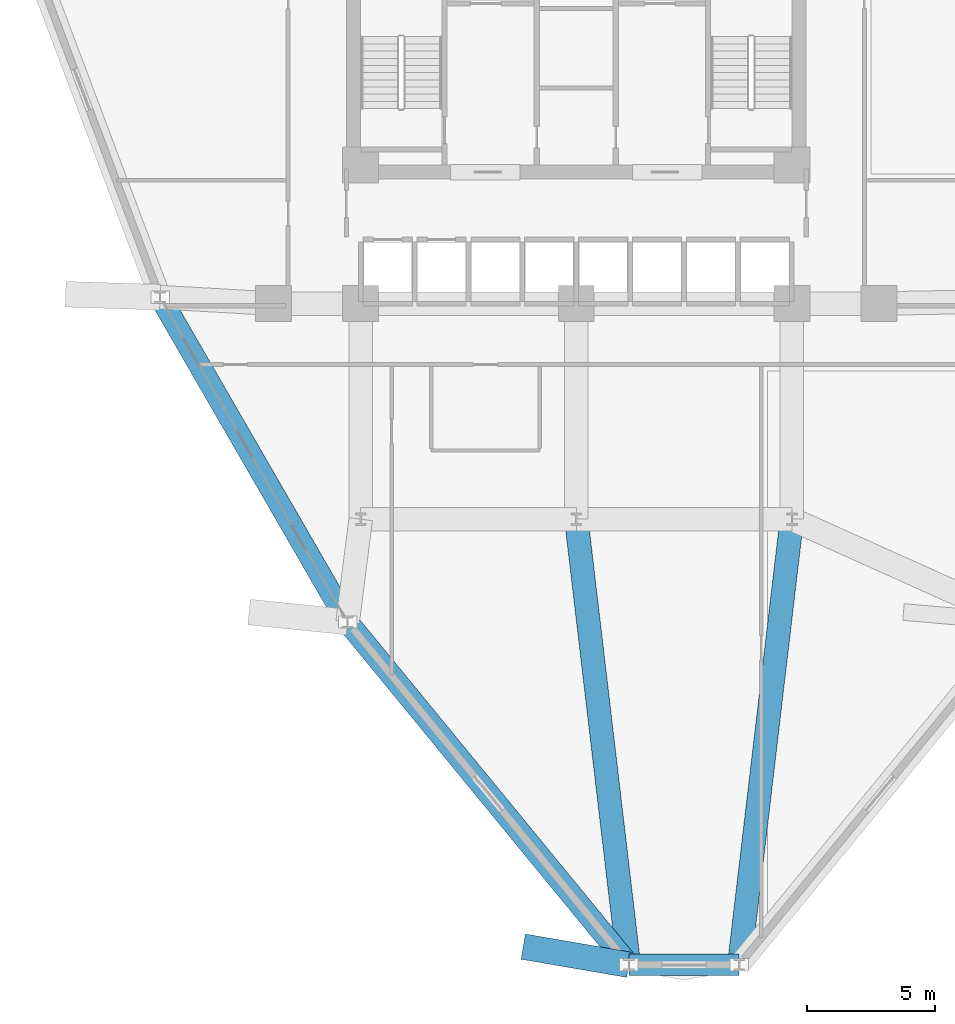
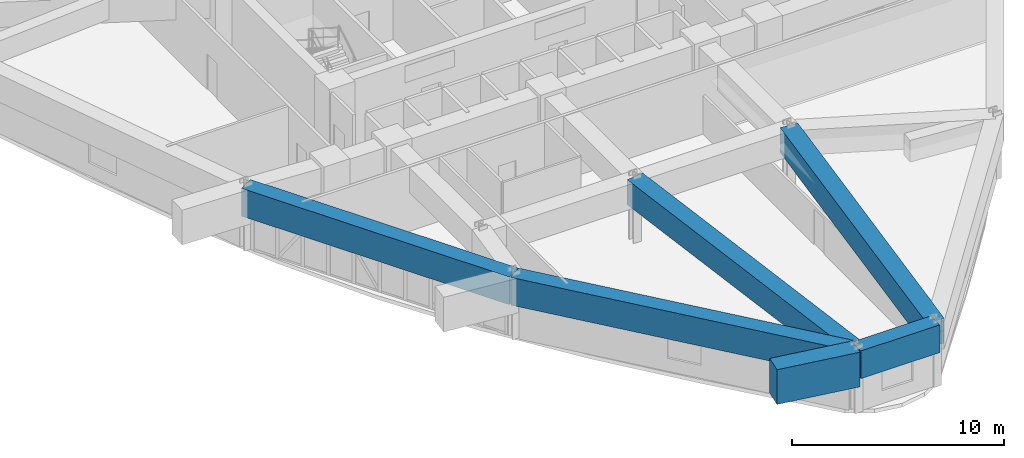
# One storey, part 3 of 18: 6 beams.
"""IFC4 building model written with IfcOpenShell, lengths in metres."""

from ifc_helpers import new_model, si_unit, derived_unit, direction, frame, origin, origin_2d, place, context, subcontext, project, spatial, rectangle, extrude, source, transform, mapped, material, material_profile, profile_set, type_object, element, save


model = new_model("IFC4")

# Units and contexts
model_context = context("Model", 3, precision=1e-05, world=origin(), true_north=direction((0.0, 1.0)))
body_context = subcontext(model_context, "Body", "Model", "MODEL_VIEW")
ifc_project = project(units=[si_unit("LENGTHUNIT", "METRE"), si_unit("AREAUNIT", "SQUARE_METRE"), si_unit("VOLUMEUNIT", "CUBIC_METRE"), si_unit("PLANEANGLEUNIT", "RADIAN"), si_unit("MASSUNIT", "GRAM", prefix="KILO"), derived_unit("THERMALTRANSMITTANCEUNIT", [(si_unit("POWERUNIT", "WATT"), 1), (si_unit("LENGTHUNIT", "METRE"), -2), (si_unit("THERMODYNAMICTEMPERATUREUNIT", "KELVIN"), -1)])], contexts=[model_context])

# Site, building, storey
site_placement = place(None, origin())
site = spatial("IfcSite", under=ifc_project, at=site_placement, CompositionType="ELEMENT")
building_placement = place(site_placement, origin())
building = spatial("IfcBuilding", under=site, at=building_placement, Name="Korsvarv Bourse and Concert Hall", CompositionType="ELEMENT")
storey_placement = place(building_placement, frame((0.0, 0.0, 95.10009765625)))
storey = spatial("IfcBuildingStorey", under=building, at=storey_placement, Name="L23", CompositionType="ELEMENT", Elevation=95.10009765625)

# Beams
ifc_material_1 = material(Name="Concrete C55/67", Category="concrete")
ifc_material_profile_1 = material_profile(ifc_material_1, rectangle(XDim=0.85009765625, YDim=1.60009765625, at=origin_2d()), Name="RC-BM 850x1600")
ifc_profile_set_1 = profile_set([ifc_material_profile_1], Name="Concrete C55/67")
beam_type_1 = type_object("IfcBeamType", Name="BM-TR1B", PredefinedType="BEAM", material=ifc_profile_set_1)
shared_shape_1 = source(origin(), body_context, "Body", "SweptSolid", [
    extrude(rectangle(XDim=0.85009765625, YDim=1.60009765625, at=origin_2d()), origin(), (0.0, 0.0, 1.0), 4.301025390625),
])
beam_1_placement = place(storey_placement, frame((38.049560546875, 6.63623046875, 2.869873046875), z_axis=(1.0, 0.0, 0.0), x_axis=(0.0, 1.0, 0.0)))
element("IfcBeam", 1, at=beam_1_placement, inside=storey, type_object=beam_type_1, Name="L23 beam B-TR2", PredefinedType="BEAM", context=body_context, shape_type="MappedRepresentation", body=[
    mapped(shared_shape_1, transform((0.0, 0.0, 0.0), scale=1.0)),
])
shared_shape_2 = source(origin(), body_context, "Body", "SweptSolid", [
    extrude(rectangle(XDim=0.85009765625, YDim=1.60009765625, at=origin_2d()), origin(), (0.0, 0.0, 1.0), 17.276123046875),
])
beam_2_placement = place(storey_placement, frame((27.090087890625, 19.9912109375, 2.869873046875), z_axis=(0.634369882893, -0.773029657697, 0.0), x_axis=(0.773029657697, 0.634369882893, 0.0)))
element("IfcBeam", 2, at=beam_2_placement, inside=storey, type_object=beam_type_1, Name="L23 beam B-TR2", PredefinedType="BEAM", context=body_context, shape_type="MappedRepresentation", body=[
    mapped(shared_shape_2, transform((0.0, 0.0, 0.0), scale=1.0)),
])
shared_shape_3 = source(origin(), body_context, "Body", "SweptSolid", [
    extrude(rectangle(XDim=0.85009765625, YDim=1.60009765625, at=origin_2d()), origin(), (0.0, 0.0, 1.0), 14.6181640625),
])
beam_3_placement = place(storey_placement, frame((19.781005859375, 32.65087890625, 2.869873046875), z_axis=(0.500000991318, -0.866024831446, 0.0), x_axis=(0.866024831446, 0.500000991318, 0.0)))
element("IfcBeam", 3, at=beam_3_placement, inside=storey, type_object=beam_type_1, Name="L23 beam B-TR2", PredefinedType="BEAM", context=body_context, shape_type="MappedRepresentation", body=[
    mapped(shared_shape_3, transform((0.0, 0.0, 0.0), scale=1.0)),
])
ifc_material_2 = material(Name="Concrete C50/60", Category="concrete")
ifc_material_profile_2 = material_profile(ifc_material_2, rectangle(XDim=0.919921875, YDim=1.43994140625, at=origin_2d()), Name="RC-BM 920x1440")
ifc_profile_set_2 = profile_set([ifc_material_profile_2], Name="Concrete C50/60")
beam_type_2 = type_object("IfcBeamType", Name="BM-TR-144", PredefinedType="BEAM", material=ifc_profile_set_2)
shared_shape_4 = source(origin(), body_context, "Body", "SweptSolid", [
    extrude(rectangle(XDim=0.919921875, YDim=1.43994140625, at=origin_2d()), origin(), (0.0, 0.0, 1.0), 17.484375),
])
for number, where, z_axis, x_axis, name in (
    (4, (38.049560546875, 6.63623046875, 2.949951171875), (-0.117222826052, 0.993105638415, 0.0), (-0.993105638415, -0.117222826052, 0.0), "L23 beam B-TR4"),
    (5, (42.3505859375, 6.63623046875, 2.949951171875), (0.117209054483, 0.993107263868, 0.0), (-0.993107263868, 0.117209054483, 0.0), "L23 beam B-TR4"),
):
    element("IfcBeam", number, at=place(storey_placement, frame(where, z_axis=z_axis, x_axis=x_axis)), inside=storey, type_object=beam_type_2, Name=name, PredefinedType="BEAM", context=body_context, shape_type="MappedRepresentation", body=[
        mapped(shared_shape_4, transform((0.0, 0.0, 0.0), scale=1.0)),
    ])
ifc_material_3 = material(Name="Concrete C60/75", Category="concrete")
ifc_material_profile_3 = material_profile(ifc_material_3, rectangle(XDim=1.0, YDim=2.0, at=origin_2d()), Name="RC-BM 1000x2000")
ifc_profile_set_3 = profile_set([ifc_material_profile_3], Name="Concrete C60/75")
beam_type_3 = type_object("IfcBeamType", Name="BM-TR1", PredefinedType="BEAM", material=ifc_profile_set_3)
shared_shape_5 = source(origin(), body_context, "Body", "SweptSolid", [
    extrude(rectangle(XDim=1.0, YDim=2.0, at=origin_2d()), origin(), (0.0, 0.0, 1.0), 4.17822265625),
])
beam_4_placement = place(storey_placement, frame((38.049560546875, 6.63623046875, 2.669921875), z_axis=(-0.985558796188, 0.169333573923, 0.0), x_axis=(-0.169333573923, -0.985558796188, 0.0)))
element("IfcBeam", 6, at=beam_4_placement, inside=storey, type_object=beam_type_3, Name="L23 Block-Shift Transfer Girder 9", PredefinedType="BEAM", context=body_context, shape_type="MappedRepresentation", body=[
    mapped(shared_shape_5, transform((0.0, 0.0, 0.0), scale=1.0)),
])

save(model, "model.ifc")
